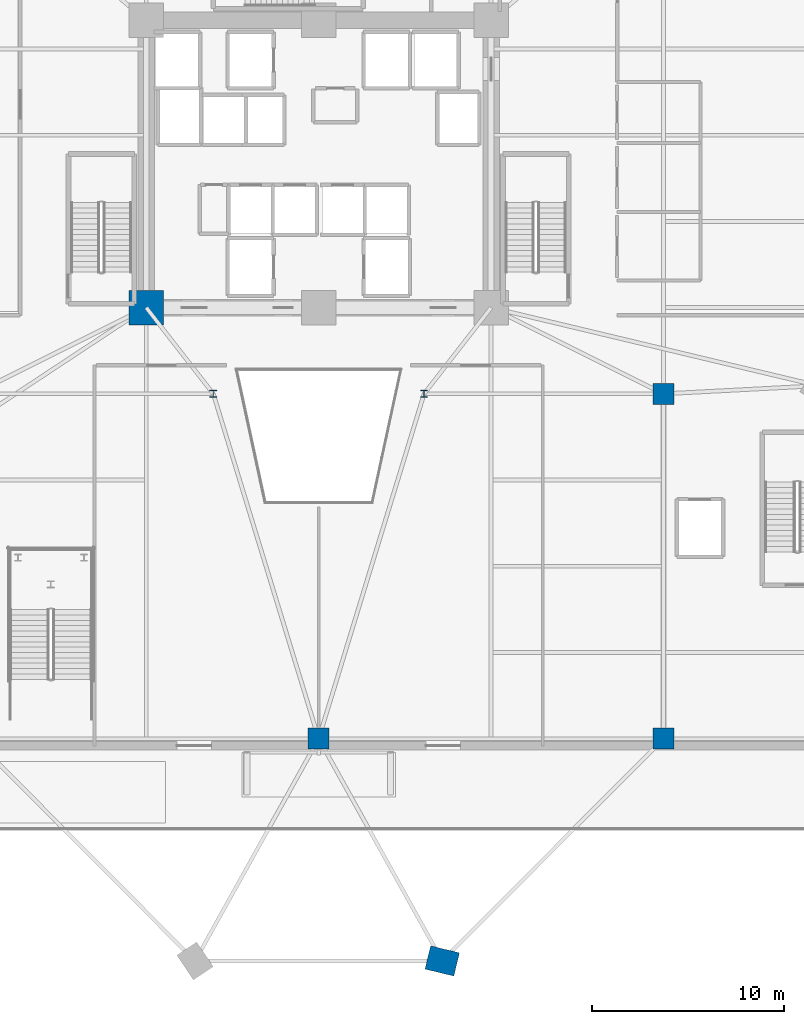
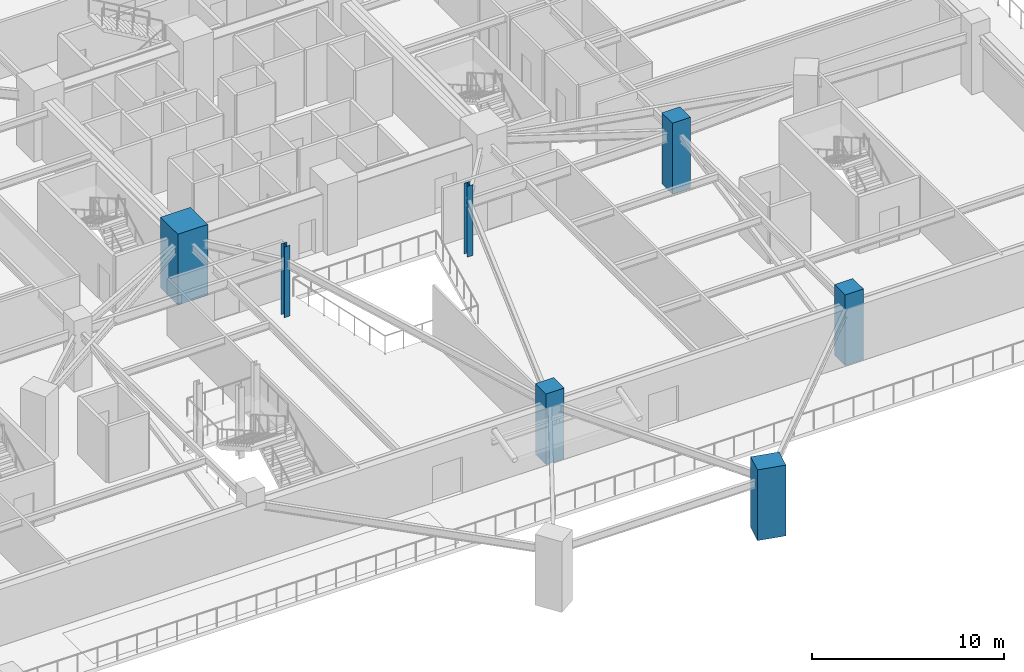
# One storey, part 2 of 19: 7 columns.
"""IFC4 building model written with IfcOpenShell, lengths in metres."""

from ifc_helpers import new_model, si_unit, direction, frame, origin, origin_2d, place, context, subcontext, project, spatial, rectangle, i_section, extrude, source, transform, mapped, material, material_profile, profile_set, type_object, element, save


model = new_model("IFC4")

# Units and contexts
model_context = context("Model", 3, precision=1e-05, world=origin(), true_north=direction((0.0, 1.0)))
body_context = subcontext(model_context, "Body", "Model", "MODEL_VIEW")
ifc_project = project(units=[si_unit("LENGTHUNIT", "METRE"), si_unit("AREAUNIT", "SQUARE_METRE"), si_unit("VOLUMEUNIT", "CUBIC_METRE"), si_unit("PLANEANGLEUNIT", "RADIAN"), si_unit("MASSUNIT", "GRAM", prefix="KILO")], contexts=[model_context])

# Site, building, storey
site_placement = place(None, origin())
site = spatial("IfcSite", under=ifc_project, at=site_placement, CompositionType="ELEMENT")
building_placement = place(site_placement, origin())
building = spatial("IfcBuilding", under=site, at=building_placement, Name="Liaohun Quay Tower", CompositionType="ELEMENT")
storey_placement = place(building_placement, frame((0.0, 0.0, 18.89990234375)))
storey = spatial("IfcBuildingStorey", under=building, at=storey_placement, Name="L05", CompositionType="ELEMENT", Elevation=18.89990234375)

# Columns
ifc_material_1 = material(Name="Concrete C60", Category="concrete")
ifc_material_profile_1 = material_profile(ifc_material_1, rectangle(XDim=1.800048828125, YDim=1.800048828125, at=origin_2d()), Name="RC1800x1800")
ifc_profile_set_1 = profile_set([ifc_material_profile_1], Name="Concrete C60")
column_type_1 = type_object("IfcColumnType", Name="COL-CC-B", PredefinedType="COLUMN", material=ifc_profile_set_1)
shared_shape_1 = source(origin(), body_context, "Body", "SweptSolid", [
    extrude(rectangle(XDim=1.800048828125, YDim=1.800048828125, at=origin_2d()), origin(), (0.0, 0.0, 1.0), 4.5),
])
column_1_placement = place(storey_placement, frame((51.0, 46.5, 0.0), z_axis=(0.0, 0.0, 1.0), x_axis=(1.0, 0.0, 0.0)))
element("IfcColumn", 1, at=column_1_placement, inside=storey, type_object=column_type_1, Name="L05 Core Column CC1", PredefinedType="COLUMN", context=body_context, shape_type="MappedRepresentation", body=[
    mapped(shared_shape_1, transform((0.0, 0.0, 0.0), x_axis=(1.0, 0.0, 0.0), y_axis=(0.0, 1.0, 0.0), z_axis=(0.0, 0.0, 1.0), scale=1.0)),
])
ifc_material_profile_2 = material_profile(ifc_material_1, rectangle(XDim=1.550048828125, YDim=1.25, at=origin_2d()), Name="RC1550x1250")
ifc_profile_set_2 = profile_set([ifc_material_profile_2], Name="Concrete C60")
column_type_2 = type_object("IfcColumnType", Name="COL-PIER-Z1", PredefinedType="COLUMN", material=ifc_profile_set_2)
shared_shape_2 = source(origin(), body_context, "Body", "SweptSolid", [
    extrude(rectangle(XDim=1.550048828125, YDim=1.25, at=origin_2d()), origin(), (0.0, 0.0, 1.0), 4.5),
])
column_2_placement = place(storey_placement, frame((66.447998046875, 12.39892578125, 0.0), z_axis=(0.0, 0.0, 1.0), x_axis=(-0.972043021443, 0.234802820391, 0.0)))
element("IfcColumn", 2, at=column_2_placement, inside=storey, type_object=column_type_2, Name="L05 Tower Mega-Pier PC11", PredefinedType="COLUMN", context=body_context, shape_type="MappedRepresentation", body=[
    mapped(shared_shape_2, transform((0.0, 0.0, 0.0), x_axis=(1.0, 0.0, 0.0), y_axis=(0.0, 1.0, 0.0), z_axis=(0.0, 0.0, 1.0), scale=1.0)),
])
ifc_material_2 = material(Name="Concrete C55", Category="concrete")
ifc_material_profile_3 = material_profile(ifc_material_2, rectangle(XDim=1.10009765625, YDim=1.10009765625, at=origin_2d()), Name="RC1100x1100")
ifc_profile_set_3 = profile_set([ifc_material_profile_3], Name="Concrete C55")
column_type_3 = type_object("IfcColumnType", Name="COL-POD-P", PredefinedType="COLUMN", material=ifc_profile_set_3)
shared_shape_3 = source(origin(), body_context, "Body", "SweptSolid", [
    extrude(rectangle(XDim=1.10009765625, YDim=1.10009765625, at=origin_2d()), origin(), (0.0, 0.0, 1.0), 4.5),
])
for number, where, z_axis, x_axis, name in (
    (3, (60.0, 24.0, 0.0), (0.0, 0.0, 1.0), (1.0, 0.0, 0.0), "L05 Podium Column PG03"),
    (4, (78.0, 24.0, 0.0), (0.0, 0.0, 1.0), (1.0, 0.0, 0.0), "L05 Podium Column PG04"),
    (5, (78.0, 42.0, 0.0), (0.0, 0.0, 1.0), (1.0, 0.0, 0.0), "L05 Podium Column PG08"),
):
    element("IfcColumn", number, at=place(storey_placement, frame(where, z_axis=z_axis, x_axis=x_axis)), inside=storey, type_object=column_type_3, Name=name, PredefinedType="COLUMN", context=body_context, shape_type="MappedRepresentation", body=[
        mapped(shared_shape_3, transform((0.0, 0.0, 0.0), x_axis=(1.0, 0.0, 0.0), y_axis=(0.0, 1.0, 0.0), z_axis=(0.0, 0.0, 1.0), scale=1.0)),
    ])
ifc_material_3 = material(Name="Steel Q355D", Category="steel")
ifc_material_profile_4 = material_profile(ifc_material_3, i_section(OverallWidth=0.35009765625, OverallDepth=0.35009765625, WebThickness=0.011962890625, FlangeThickness=0.01904296875, at=origin_2d()), Name="HW350x350x12x19")
ifc_profile_set_4 = profile_set([ifc_material_profile_4], Name="Steel Q355D")
column_type_4 = type_object("IfcColumnType", Name="COL-STL-ATR", PredefinedType="COLUMN", material=ifc_profile_set_4)
shared_shape_4 = source(origin(), body_context, "Body", "SweptSolid", [
    extrude(i_section(OverallWidth=0.35009765625, OverallDepth=0.35009765625, WebThickness=0.011962890625, FlangeThickness=0.01904296875, at=origin_2d()), origin(), (0.0, 0.0, 1.0), 4.5),
])
for number, where, z_axis, x_axis, name in (
    (6, (54.5, 42.0, 0.0), (0.0, 0.0, 1.0), (1.0, 0.0, 0.0), "L05 Atrium Feature Column AT1"),
    (7, (65.5, 42.0, 0.0), (0.0, 0.0, 1.0), (1.0, 0.0, 0.0), "L05 Atrium Feature Column AT2"),
):
    element("IfcColumn", number, at=place(storey_placement, frame(where, z_axis=z_axis, x_axis=x_axis)), inside=storey, type_object=column_type_4, Name=name, PredefinedType="COLUMN", context=body_context, shape_type="MappedRepresentation", body=[
        mapped(shared_shape_4, transform((0.0, 0.0, 0.0), x_axis=(1.0, 0.0, 0.0), y_axis=(0.0, 1.0, 0.0), z_axis=(0.0, 0.0, 1.0), scale=1.0)),
    ])

save(model, "model.ifc")
